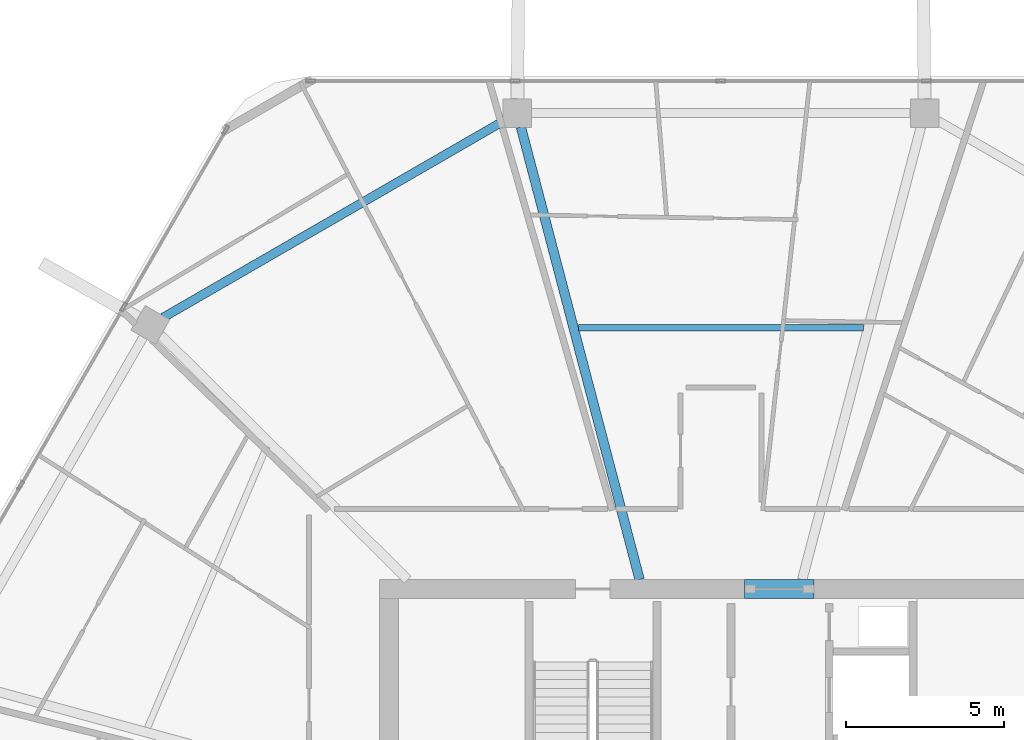
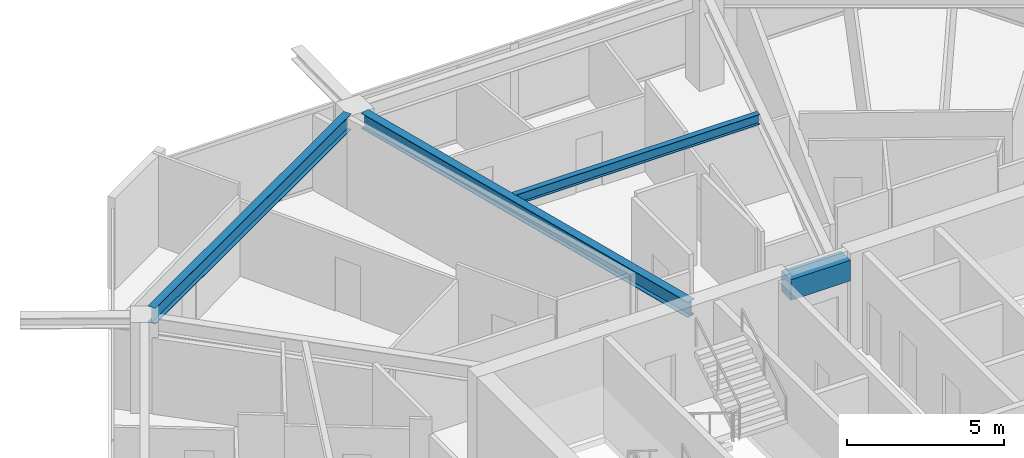
# One storey, part 12 of 26: 4 beams.
"""IFC4 building model written with IfcOpenShell, lengths in metres."""

from ifc_helpers import new_model, si_unit, direction, frame, origin, origin_2d, place, context, subcontext, project, spatial, rectangle, i_section, extrude, material, material_profile, profile_set, type_object, element, save


model = new_model("IFC4")

# Units and contexts
model_context = context("Model", 3, precision=1e-05, world=origin(), true_north=direction((0.0, 1.0)))
body_context = subcontext(model_context, "Body", "Model", "MODEL_VIEW")
ifc_project = project(units=[si_unit("LENGTHUNIT", "METRE"), si_unit("AREAUNIT", "SQUARE_METRE"), si_unit("VOLUMEUNIT", "CUBIC_METRE"), si_unit("PLANEANGLEUNIT", "RADIAN"), si_unit("MASSUNIT", "GRAM", prefix="KILO")], contexts=[model_context])

# Site, building, storey
site_placement = place(None, origin())
site = spatial("IfcSite", under=ifc_project, at=site_placement, CompositionType="ELEMENT")
building_placement = place(site_placement, origin())
building = spatial("IfcBuilding", under=site, at=building_placement, Name="Zuhravey Tower", CompositionType="ELEMENT")
storey_placement = place(building_placement, frame((0.0, 0.0, 250.199951171875)))
storey = spatial("IfcBuildingStorey", under=building, at=storey_placement, Name="L63", CompositionType="ELEMENT", Elevation=250.199951171875)

# Beams
ifc_material_1 = material(Name="Concrete C50/60", Category="concrete")
ifc_material_profile_1 = material_profile(ifc_material_1, rectangle(XDim=0.60009765625, YDim=0.800048828125, at=origin_2d()), Name="RC-600x800")
ifc_profile_set_1 = profile_set([ifc_material_profile_1], Name="Concrete C50/60")
beam_type_1 = type_object("IfcBeamType", Name="Core Coupling Beam RC600x800", PredefinedType="LINTEL", material=ifc_profile_set_1)
beam_1_placement = place(storey_placement, frame((36.751953125, 41.5, 3.150146484375), z_axis=(1.0, 0.0, 0.0), x_axis=(0.0, 1.0, 0.0)))
element("IfcBeam", 1, at=beam_1_placement, inside=storey, type_object=beam_type_1, Name="L63 CB2 BM-L63-CB-N", PredefinedType="LINTEL", context=body_context, shape_type="SweptSolid", body=[
    extrude(rectangle(XDim=0.60009765625, YDim=0.800048828125, at=origin_2d()), origin(), (0.0, 0.0, 1.0), 2.196044921875),
])
ifc_material_2 = material(Name="Steel SM355", Category="steel")
ifc_material_profile_2 = material_profile(ifc_material_2, i_section(OverallWidth=0.280029296875, OverallDepth=0.6201171875, WebThickness=0.011962890625, FlangeThickness=0.02001953125, at=origin_2d()), Name="H-620x280x12x20")
ifc_profile_set_2 = profile_set([ifc_material_profile_2], Name="Steel SM355")
beam_type_2 = type_object("IfcBeamType", Name="Perimeter Ring Beam H620x280", PredefinedType="BEAM", material=ifc_profile_set_2)
beam_2_placement = place(storey_placement, frame((29.166748046875, 56.3271484375, 3.239990234375), z_axis=(-0.866025131093, -0.500000472315, 0.0), x_axis=(0.500000472315, -0.866025131093, 0.0)))
element("IfcBeam", 2, at=beam_2_placement, inside=storey, type_object=beam_type_2, Name="L63 PB3 BM-L63-PB-04", PredefinedType="BEAM", context=body_context, shape_type="SweptSolid", body=[
    extrude(i_section(OverallWidth=0.280029296875, OverallDepth=0.6201171875, WebThickness=0.011962890625, FlangeThickness=0.02001953125, at=origin_2d()), origin(), (0.0, 0.0, 1.0), 12.49169921875),
])
ifc_material_profile_3 = material_profile(ifc_material_2, i_section(OverallWidth=0.300048828125, OverallDepth=0.60009765625, WebThickness=0.011962890625, FlangeThickness=0.02001953125, at=origin_2d()), Name="H-600x300x12x20")
ifc_profile_set_3 = profile_set([ifc_material_profile_3], Name="Steel SM355")
beam_type_3 = type_object("IfcBeamType", Name="Radial Primary Girder H600x300", PredefinedType="BEAM", material=ifc_profile_set_3)
beam_3_placement = place(storey_placement, frame((33.428466796875, 41.802978515625, 3.25), z_axis=(-0.253731415841, 0.967274712073, 0.0), x_axis=(-0.967274712073, -0.253731415841, 0.0)))
element("IfcBeam", 3, at=beam_3_placement, inside=storey, type_object=beam_type_3, Name="L63 RG3 BM-L63-RAD-04", PredefinedType="BEAM", context=body_context, shape_type="SweptSolid", body=[
    extrude(i_section(OverallWidth=0.300048828125, OverallDepth=0.60009765625, WebThickness=0.011962890625, FlangeThickness=0.02001953125, at=origin_2d()), origin(), (0.0, 0.0, 1.0), 14.796630859375),
])
ifc_material_profile_4 = material_profile(ifc_material_2, i_section(OverallWidth=0.199951171875, OverallDepth=0.39990234375, WebThickness=0.008056640625, FlangeThickness=0.012939453125, at=origin_2d()), Name="H-400x200x8x13")
ifc_profile_set_4 = profile_set([ifc_material_profile_4], Name="Steel SM355")
beam_type_4 = type_object("IfcBeamType", Name="Secondary Floor Joist H400x200", PredefinedType="JOIST", material=ifc_profile_set_4)
beam_4_placement = place(storey_placement, frame((40.507080078125, 49.768310546875, 3.35009765625), z_axis=(-1.0, 0.0, 0.0), x_axis=(0.0, -1.0, 0.0)))
element("IfcBeam", 4, at=beam_4_placement, inside=storey, type_object=beam_type_4, Name="L63 SJ2 BM-L63-SJ-03-1", PredefinedType="JOIST", context=body_context, shape_type="SweptSolid", body=[
    extrude(i_section(OverallWidth=0.199951171875, OverallDepth=0.39990234375, WebThickness=0.008056640625, FlangeThickness=0.012939453125, at=origin_2d()), origin(), (0.0, 0.0, 1.0), 9.01416015625),
])

save(model, "model.ifc")
